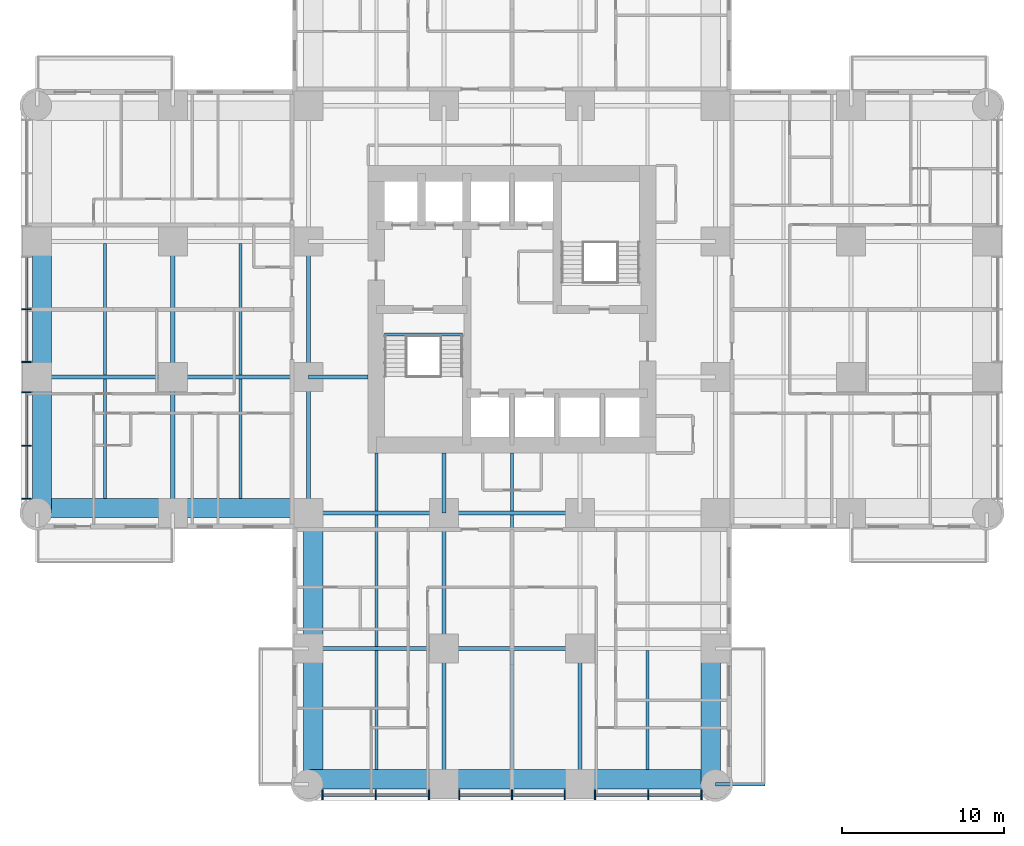
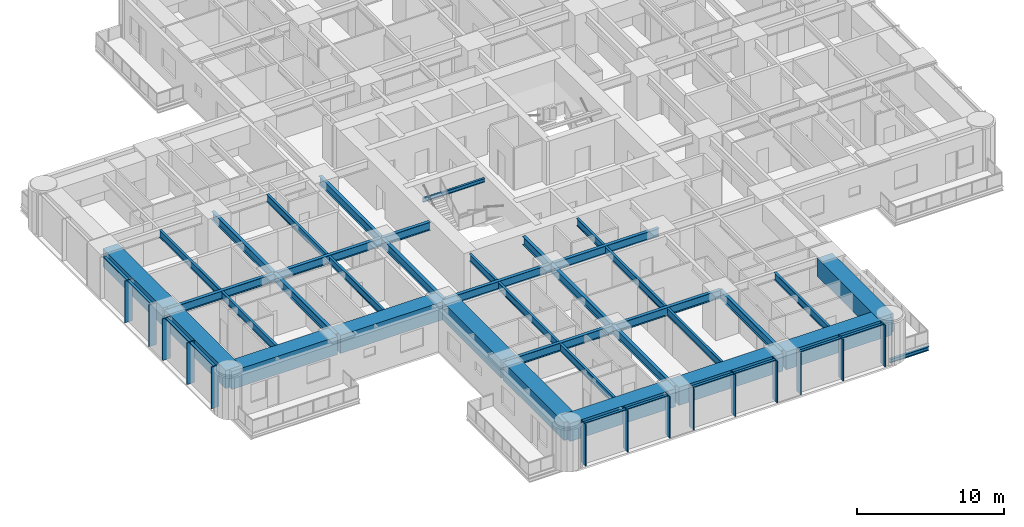
# One storey, part 2 of 17: 38 beams, 24 members, 2 elements without a shape of their own.
"""IFC4 building model written with IfcOpenShell, lengths in metres."""

from ifc_helpers import new_model, si_unit, direction, frame, origin, origin_2d, place, context, subcontext, project, spatial, rectangle, i_section, extrude, material, material_profile, profile_set, type_object, element, aggregate, save


model = new_model("IFC4")

# Units and contexts
model_context = context("Model", 3, precision=1e-05, world=origin(), true_north=direction((0.0, 1.0)))
body_context = subcontext(model_context, "Body", "Model", "MODEL_VIEW")
ifc_project = project(units=[si_unit("LENGTHUNIT", "METRE"), si_unit("AREAUNIT", "SQUARE_METRE"), si_unit("VOLUMEUNIT", "CUBIC_METRE"), si_unit("PLANEANGLEUNIT", "RADIAN"), si_unit("MASSUNIT", "GRAM", prefix="KILO")], contexts=[model_context])

# Site, building, storey
site_placement = place(None, origin())
site = spatial("IfcSite", under=ifc_project, at=site_placement, CompositionType="ELEMENT")
building_placement = place(site_placement, origin())
building = spatial("IfcBuilding", under=site, at=building_placement, Name="Torre Alcanfor", CompositionType="ELEMENT")
storey_placement = place(building_placement, frame((0.0, 0.0, 41.699951171875)))
storey = spatial("IfcBuildingStorey", under=building, at=storey_placement, Name="L09", CompositionType="ELEMENT", Elevation=41.699951171875)

# Beam
ifc_material_1 = material(Name="Steel ASTM A992 Grade 50", Category="steel")
ifc_material_profile_1 = material_profile(ifc_material_1, i_section(OverallWidth=0.205322265625, OverallDepth=0.309814453125, WebThickness=0.00927734375, FlangeThickness=0.016357421875, at=origin_2d()), Name="W12x50")
ifc_profile_set_1 = profile_set([ifc_material_profile_1], Name="Steel ASTM A992 Grade 50")
beam_type_1 = type_object("IfcBeamType", Name="Balcony cantilever beam W12x50", PredefinedType="BEAM", material=ifc_profile_set_1)
beam_1_placement = place(storey_placement, frame((42.0, 0.0, -0.35498046875), z_axis=(1.0, 0.0, 0.0), x_axis=(0.0, 1.0, 0.0)))
element("IfcBeam", 1, at=beam_1_placement, inside=storey, type_object=beam_type_1, Name="Balcony cantilever beam L09-S1 2", PredefinedType="BEAM", context=body_context, shape_type="SweptSolid", body=[
    extrude(i_section(OverallWidth=0.205322265625, OverallDepth=0.309814453125, WebThickness=0.00927734375, FlangeThickness=0.016357421875, at=origin_2d()), origin(), (0.0, 0.0, 1.0), 3.050048828125),
])

# Curtain wall, members
ifc_material_2 = material(Name="Aluminium and glass", Category="aluminium")
curtain_wall_type = type_object("IfcCurtainWallType", Name="CW-A unitised apartment glazing with vertical FIN", PredefinedType="NOTDEFINED", material=ifc_material_2)
curtain_wall_1_placement = place(storey_placement, origin())
curtain_wall_1 = element("IfcCurtainWall", 2, at=curtain_wall_1_placement, inside=storey, type_object=curtain_wall_type, Name="Curtain wall CW-A L09 2", PredefinedType="NOTDEFINED")
ifc_material_3 = material(Name="Bronze anodised aluminium", Category="aluminium")
ifc_material_profile_2 = material_profile(ifc_material_3, rectangle(XDim=0.60009765625, YDim=0.06494140625, at=origin_2d()), Name="CW-A mullion 65x600")
ifc_profile_set_2 = profile_set([ifc_material_profile_2], Name="Bronze anodised aluminium")
member_type_1 = type_object("IfcMemberType", Name="CW-A mullion with vertical FIN 65x600", PredefinedType="MULLION", material=ifc_profile_set_2)
member_1_placement = place(storey_placement, frame((-0.64990234375, 29.39990234375, 0.0), z_axis=(0.0, 0.0, 1.0), x_axis=(1.0, 0.0, 0.0)))
member_1 = element("IfcMember", 3, at=member_1_placement, type_object=member_type_1, Name="CW-A mullion 2.2", PredefinedType="MULLION", context=body_context, shape_type="SweptSolid", body=[
    extrude(rectangle(XDim=0.60009765625, YDim=0.06494140625, at=origin_2d()), origin(), (0.0, 0.0, 1.0), 3.449951171875),
])
member_2_placement = place(storey_placement, frame((-0.64990234375, 26.137451171875, 0.0), z_axis=(0.0, 0.0, 1.0), x_axis=(1.0, 0.0, 0.0)))
member_2 = element("IfcMember", 4, at=member_2_placement, type_object=member_type_1, Name="CW-A mullion 2.3", PredefinedType="MULLION", context=body_context, shape_type="SweptSolid", body=[
    extrude(rectangle(XDim=0.60009765625, YDim=0.06494140625, at=origin_2d()), origin(), (0.0, 0.0, 1.0), 3.449951171875),
])
member_3_placement = place(storey_placement, frame((-0.64990234375, 24.262451171875, 0.0), z_axis=(0.0, 0.0, 1.0), x_axis=(1.0, 0.0, 0.0)))
member_3 = element("IfcMember", 5, at=member_3_placement, type_object=member_type_1, Name="CW-A mullion 3.1", PredefinedType="MULLION", context=body_context, shape_type="SweptSolid", body=[
    extrude(rectangle(XDim=0.60009765625, YDim=0.06494140625, at=origin_2d()), origin(), (0.0, 0.0, 1.0), 3.449951171875),
])
member_4_placement = place(storey_placement, frame((-0.64990234375, 20.96484375, 0.0), z_axis=(0.0, 0.0, 1.0), x_axis=(1.0, 0.0, 0.0)))
member_4 = element("IfcMember", 6, at=member_4_placement, type_object=member_type_1, Name="CW-A mullion 3.2", PredefinedType="MULLION", context=body_context, shape_type="SweptSolid", body=[
    extrude(rectangle(XDim=0.60009765625, YDim=0.06494140625, at=origin_2d()), origin(), (0.0, 0.0, 1.0), 3.449951171875),
])
member_5_placement = place(storey_placement, frame((-0.64990234375, 17.6669921875, 0.0), z_axis=(0.0, 0.0, 1.0), x_axis=(1.0, 0.0, 0.0)))
member_5 = element("IfcMember", 7, at=member_5_placement, type_object=member_type_1, Name="CW-A mullion 3.3", PredefinedType="MULLION", context=body_context, shape_type="SweptSolid", body=[
    extrude(rectangle(XDim=0.60009765625, YDim=0.06494140625, at=origin_2d()), origin(), (0.0, 0.0, 1.0), 3.449951171875),
])

curtain_wall_2_placement = place(storey_placement, origin())
curtain_wall_2 = element("IfcCurtainWall", 8, at=curtain_wall_2_placement, inside=storey, type_object=curtain_wall_type, Name="Curtain wall CW-A L09 5", PredefinedType="NOTDEFINED")
member_6_placement = place(storey_placement, frame((17.6669921875, -0.64990234375, 0.0), z_axis=(0.0, 0.0, 1.0), x_axis=(0.0, 1.0, 0.0)))
member_6 = element("IfcMember", 9, at=member_6_placement, type_object=member_type_1, Name="CW-A mullion 1.1", PredefinedType="MULLION", context=body_context, shape_type="SweptSolid", body=[
    extrude(rectangle(XDim=0.60009765625, YDim=0.06494140625, at=origin_2d()), origin(), (0.0, 0.0, 1.0), 3.449951171875),
])
member_7_placement = place(storey_placement, frame((20.96484375, -0.64990234375, 0.0), z_axis=(0.0, 0.0, 1.0), x_axis=(0.0, 1.0, 0.0)))
member_7 = element("IfcMember", 10, at=member_7_placement, type_object=member_type_1, Name="CW-A mullion 1.2", PredefinedType="MULLION", context=body_context, shape_type="SweptSolid", body=[
    extrude(rectangle(XDim=0.60009765625, YDim=0.06494140625, at=origin_2d()), origin(), (0.0, 0.0, 1.0), 3.449951171875),
])
member_8_placement = place(storey_placement, frame((24.262451171875, -0.64990234375, 0.0), z_axis=(0.0, 0.0, 1.0), x_axis=(0.0, 1.0, 0.0)))
member_8 = element("IfcMember", 11, at=member_8_placement, type_object=member_type_1, Name="CW-A mullion 1.3", PredefinedType="MULLION", context=body_context, shape_type="SweptSolid", body=[
    extrude(rectangle(XDim=0.60009765625, YDim=0.06494140625, at=origin_2d()), origin(), (0.0, 0.0, 1.0), 3.449951171875),
])
member_9_placement = place(storey_placement, frame((26.137451171875, -0.64990234375, 0.0), z_axis=(0.0, 0.0, 1.0), x_axis=(0.0, 1.0, 0.0)))
member_9 = element("IfcMember", 12, at=member_9_placement, type_object=member_type_1, Name="CW-A mullion 2.1", PredefinedType="MULLION", context=body_context, shape_type="SweptSolid", body=[
    extrude(rectangle(XDim=0.60009765625, YDim=0.06494140625, at=origin_2d()), origin(), (0.0, 0.0, 1.0), 3.449951171875),
])
member_10_placement = place(storey_placement, frame((29.39990234375, -0.64990234375, 0.0), z_axis=(0.0, 0.0, 1.0), x_axis=(0.0, 1.0, 0.0)))
member_10 = element("IfcMember", 13, at=member_10_placement, type_object=member_type_1, Name="CW-A mullion 2.2", PredefinedType="MULLION", context=body_context, shape_type="SweptSolid", body=[
    extrude(rectangle(XDim=0.60009765625, YDim=0.06494140625, at=origin_2d()), origin(), (0.0, 0.0, 1.0), 3.449951171875),
])
member_11_placement = place(storey_placement, frame((32.66259765625, -0.64990234375, 0.0), z_axis=(0.0, 0.0, 1.0), x_axis=(0.0, 1.0, 0.0)))
member_11 = element("IfcMember", 14, at=member_11_placement, type_object=member_type_1, Name="CW-A mullion 2.3", PredefinedType="MULLION", context=body_context, shape_type="SweptSolid", body=[
    extrude(rectangle(XDim=0.60009765625, YDim=0.06494140625, at=origin_2d()), origin(), (0.0, 0.0, 1.0), 3.449951171875),
])
member_12_placement = place(storey_placement, frame((34.53759765625, -0.64990234375, 0.0), z_axis=(0.0, 0.0, 1.0), x_axis=(0.0, 1.0, 0.0)))
member_12 = element("IfcMember", 15, at=member_12_placement, type_object=member_type_1, Name="CW-A mullion 3.1", PredefinedType="MULLION", context=body_context, shape_type="SweptSolid", body=[
    extrude(rectangle(XDim=0.60009765625, YDim=0.06494140625, at=origin_2d()), origin(), (0.0, 0.0, 1.0), 3.449951171875),
])
member_13_placement = place(storey_placement, frame((37.835205078125, -0.64990234375, 0.0), z_axis=(0.0, 0.0, 1.0), x_axis=(0.0, 1.0, 0.0)))
member_13 = element("IfcMember", 16, at=member_13_placement, type_object=member_type_1, Name="CW-A mullion 3.2", PredefinedType="MULLION", context=body_context, shape_type="SweptSolid", body=[
    extrude(rectangle(XDim=0.60009765625, YDim=0.06494140625, at=origin_2d()), origin(), (0.0, 0.0, 1.0), 3.449951171875),
])
member_14_placement = place(storey_placement, frame((41.133056640625, -0.64990234375, 0.0), z_axis=(0.0, 0.0, 1.0), x_axis=(0.0, 1.0, 0.0)))
member_14 = element("IfcMember", 17, at=member_14_placement, type_object=member_type_1, Name="CW-A mullion 3.3", PredefinedType="MULLION", context=body_context, shape_type="SweptSolid", body=[
    extrude(rectangle(XDim=0.60009765625, YDim=0.06494140625, at=origin_2d()), origin(), (0.0, 0.0, 1.0), 3.449951171875),
])

# Member
ifc_material_4 = material(Name="Extruded aluminium", Category="aluminium")
ifc_material_profile_3 = material_profile(ifc_material_4, rectangle(XDim=0.199951171875, YDim=0.06494140625, at=origin_2d()), Name="CW-A transom 200x65")
ifc_profile_set_3 = profile_set([ifc_material_profile_3], Name="Extruded aluminium")
member_type_2 = type_object("IfcMemberType", Name="CW-A transom 65x200", PredefinedType="USERDEFINED", material=ifc_profile_set_3)
member_15_placement = place(storey_placement, frame((-0.64990234375, 32.6298828125, 3.41748046875), z_axis=(0.0, -1.0, 0.0), x_axis=(1.0, 0.0, 0.0)))
member_15 = element("IfcMember", 18, at=member_15_placement, type_object=member_type_2, Name="CW-A transom 2.1.2", ObjectType="TRANSOM", PredefinedType="USERDEFINED", context=body_context, shape_type="SweptSolid", body=[
    extrude(rectangle(XDim=0.199951171875, YDim=0.06494140625, at=origin_2d()), origin(), (0.0, 0.0, 1.0), 3.197265625),
])

member_16_placement = place(storey_placement, frame((-0.64990234375, 29.367431640625, 3.41748046875), z_axis=(0.0, -1.0, 0.0), x_axis=(1.0, 0.0, 0.0)))
member_16 = element("IfcMember", 19, at=member_16_placement, type_object=member_type_2, Name="CW-A transom 2.2.2", ObjectType="TRANSOM", PredefinedType="USERDEFINED", context=body_context, shape_type="SweptSolid", body=[
    extrude(rectangle(XDim=0.199951171875, YDim=0.06494140625, at=origin_2d()), origin(), (0.0, 0.0, 1.0), 3.197509765625),
])

member_17_placement = place(storey_placement, frame((-0.64990234375, 24.22998046875, 3.41748046875), z_axis=(0.0, -1.0, 0.0), x_axis=(1.0, 0.0, 0.0)))
member_17 = element("IfcMember", 20, at=member_17_placement, type_object=member_type_2, Name="CW-A transom 3.1.2", ObjectType="TRANSOM", PredefinedType="USERDEFINED", context=body_context, shape_type="SweptSolid", body=[
    extrude(rectangle(XDim=0.199951171875, YDim=0.06494140625, at=origin_2d()), origin(), (0.0, 0.0, 1.0), 3.232666015625),
])

member_18_placement = place(storey_placement, frame((-0.64990234375, 20.93212890625, 3.41748046875), z_axis=(0.0, -1.0, 0.0), x_axis=(1.0, 0.0, 0.0)))
member_18 = element("IfcMember", 21, at=member_18_placement, type_object=member_type_2, Name="CW-A transom 3.2.2", ObjectType="TRANSOM", PredefinedType="USERDEFINED", context=body_context, shape_type="SweptSolid", body=[
    extrude(rectangle(XDim=0.199951171875, YDim=0.06494140625, at=origin_2d()), origin(), (0.0, 0.0, 1.0), 3.232666015625),
])

aggregate(curtain_wall_1, [member_1, member_2, member_15, member_16, member_3, member_4, member_5, member_17, member_18])

member_19_placement = place(storey_placement, frame((17.699462890625, -0.64990234375, 3.41748046875), z_axis=(1.0, 0.0, 0.0), x_axis=(0.0, 1.0, 0.0)))
member_19 = element("IfcMember", 22, at=member_19_placement, type_object=member_type_2, Name="CW-A transom 1.1.2", ObjectType="TRANSOM", PredefinedType="USERDEFINED", context=body_context, shape_type="SweptSolid", body=[
    extrude(rectangle(XDim=0.199951171875, YDim=0.06494140625, at=origin_2d()), origin(), (0.0, 0.0, 1.0), 3.232666015625),
])

member_20_placement = place(storey_placement, frame((20.997314453125, -0.64990234375, 3.41748046875), z_axis=(1.0, 0.0, 0.0), x_axis=(0.0, 1.0, 0.0)))
member_20 = element("IfcMember", 23, at=member_20_placement, type_object=member_type_2, Name="CW-A transom 1.2.2", ObjectType="TRANSOM", PredefinedType="USERDEFINED", context=body_context, shape_type="SweptSolid", body=[
    extrude(rectangle(XDim=0.199951171875, YDim=0.06494140625, at=origin_2d()), origin(), (0.0, 0.0, 1.0), 3.232666015625),
])

member_21_placement = place(storey_placement, frame((26.169921875, -0.64990234375, 3.41748046875), z_axis=(1.0, 0.0, 0.0), x_axis=(0.0, 1.0, 0.0)))
member_21 = element("IfcMember", 24, at=member_21_placement, type_object=member_type_2, Name="CW-A transom 2.1.2", ObjectType="TRANSOM", PredefinedType="USERDEFINED", context=body_context, shape_type="SweptSolid", body=[
    extrude(rectangle(XDim=0.199951171875, YDim=0.06494140625, at=origin_2d()), origin(), (0.0, 0.0, 1.0), 3.197509765625),
])

member_22_placement = place(storey_placement, frame((29.4326171875, -0.64990234375, 3.41748046875), z_axis=(1.0, 0.0, 0.0), x_axis=(0.0, 1.0, 0.0)))
member_22 = element("IfcMember", 25, at=member_22_placement, type_object=member_type_2, Name="CW-A transom 2.2.2", ObjectType="TRANSOM", PredefinedType="USERDEFINED", context=body_context, shape_type="SweptSolid", body=[
    extrude(rectangle(XDim=0.199951171875, YDim=0.06494140625, at=origin_2d()), origin(), (0.0, 0.0, 1.0), 3.197265625),
])

member_23_placement = place(storey_placement, frame((34.570068359375, -0.64990234375, 3.41748046875), z_axis=(1.0, 0.0, 0.0), x_axis=(0.0, 1.0, 0.0)))
member_23 = element("IfcMember", 26, at=member_23_placement, type_object=member_type_2, Name="CW-A transom 3.1.2", ObjectType="TRANSOM", PredefinedType="USERDEFINED", context=body_context, shape_type="SweptSolid", body=[
    extrude(rectangle(XDim=0.199951171875, YDim=0.06494140625, at=origin_2d()), origin(), (0.0, 0.0, 1.0), 3.232666015625),
])

member_24_placement = place(storey_placement, frame((37.86767578125, -0.64990234375, 3.41748046875), z_axis=(1.0, 0.0, 0.0), x_axis=(0.0, 1.0, 0.0)))
member_24 = element("IfcMember", 27, at=member_24_placement, type_object=member_type_2, Name="CW-A transom 3.2.2", ObjectType="TRANSOM", PredefinedType="USERDEFINED", context=body_context, shape_type="SweptSolid", body=[
    extrude(rectangle(XDim=0.199951171875, YDim=0.06494140625, at=origin_2d()), origin(), (0.0, 0.0, 1.0), 3.23291015625),
])

aggregate(curtain_wall_2, [member_6, member_7, member_8, member_19, member_20, member_9, member_10, member_11, member_21, member_22, member_12, member_13, member_14, member_23, member_24])

# Beams
ifc_material_5 = material(Name="Steel ASTM A992 Grade 50", Category="steel")
ifc_material_profile_4 = material_profile(ifc_material_5, i_section(OverallWidth=0.25390625, OverallDepth=0.683349609375, WebThickness=0.012451171875, FlangeThickness=0.01904296875, at=origin_2d()), Name="W27x94")
ifc_profile_set_4 = profile_set([ifc_material_profile_4], Name="Steel ASTM A992 Grade 50")
beam_type_2 = type_object("IfcBeamType", Name="Girder W27x94", PredefinedType="BEAM", material=ifc_profile_set_4)
beam_2_placement = place(storey_placement, frame((16.800048828125, 8.39990234375, 3.1083984375), z_axis=(1.0, 0.0, 0.0), x_axis=(0.0, 1.0, 0.0)))
element("IfcBeam", 28, at=beam_2_placement, inside=storey, type_object=beam_type_2, Name="Beam 3D-4D under L10", PredefinedType="BEAM", context=body_context, shape_type="SweptSolid", body=[
    extrude(i_section(OverallWidth=0.25390625, OverallDepth=0.683349609375, WebThickness=0.012451171875, FlangeThickness=0.01904296875, at=origin_2d()), origin(), (0.0, 0.0, 1.0), 8.39990234375),
])
beam_3_placement = place(storey_placement, frame((25.199951171875, 8.39990234375, 3.1083984375), z_axis=(1.0, 0.0, 0.0), x_axis=(0.0, 1.0, 0.0)))
element("IfcBeam", 29, at=beam_3_placement, inside=storey, type_object=beam_type_2, Name="Beam 4D-5D under L10", PredefinedType="BEAM", context=body_context, shape_type="SweptSolid", body=[
    extrude(i_section(OverallWidth=0.25390625, OverallDepth=0.683349609375, WebThickness=0.012451171875, FlangeThickness=0.01904296875, at=origin_2d()), origin(), (0.0, 0.0, 1.0), 8.400146484375),
])
beam_4_placement = place(storey_placement, frame((16.800048828125, 16.800048828125, 3.1083984375), z_axis=(1.0, 0.0, 0.0), x_axis=(0.0, 1.0, 0.0)))
element("IfcBeam", 30, at=beam_4_placement, inside=storey, type_object=beam_type_2, Name="Beam 3E-4E under L10", PredefinedType="BEAM", context=body_context, shape_type="SweptSolid", body=[
    extrude(i_section(OverallWidth=0.25390625, OverallDepth=0.683349609375, WebThickness=0.012451171875, FlangeThickness=0.01904296875, at=origin_2d()), origin(), (0.0, 0.0, 1.0), 8.39990234375),
])
beam_5_placement = place(storey_placement, frame((25.199951171875, 16.800048828125, 3.1083984375), z_axis=(1.0, 0.0, 0.0), x_axis=(0.0, 1.0, 0.0)))
element("IfcBeam", 31, at=beam_5_placement, inside=storey, type_object=beam_type_2, Name="Beam 4E-5E under L10", PredefinedType="BEAM", context=body_context, shape_type="SweptSolid", body=[
    extrude(i_section(OverallWidth=0.25390625, OverallDepth=0.683349609375, WebThickness=0.012451171875, FlangeThickness=0.01904296875, at=origin_2d()), origin(), (0.0, 0.0, 1.0), 8.400146484375),
])
beam_6_placement = place(storey_placement, frame((0.0, 25.199951171875, 3.1083984375), z_axis=(1.0, 0.0, 0.0), x_axis=(0.0, 1.0, 0.0)))
element("IfcBeam", 32, at=beam_6_placement, inside=storey, type_object=beam_type_2, Name="Beam 1F-2F under L10", PredefinedType="BEAM", context=body_context, shape_type="SweptSolid", body=[
    extrude(i_section(OverallWidth=0.25390625, OverallDepth=0.683349609375, WebThickness=0.012451171875, FlangeThickness=0.01904296875, at=origin_2d()), origin(), (0.0, 0.0, 1.0), 8.39990234375),
])
beam_7_placement = place(storey_placement, frame((8.39990234375, 25.199951171875, 3.1083984375), z_axis=(1.0, 0.0, 0.0), x_axis=(0.0, 1.0, 0.0)))
element("IfcBeam", 33, at=beam_7_placement, inside=storey, type_object=beam_type_2, Name="Beam 2F-3F under L10", PredefinedType="BEAM", context=body_context, shape_type="SweptSolid", body=[
    extrude(i_section(OverallWidth=0.25390625, OverallDepth=0.683349609375, WebThickness=0.012451171875, FlangeThickness=0.01904296875, at=origin_2d()), origin(), (0.0, 0.0, 1.0), 8.400146484375),
])
beam_8_placement = place(storey_placement, frame((8.39990234375, 16.800048828125, 3.1083984375), z_axis=(0.0, 1.0, 0.0), x_axis=(-1.0, 0.0, 0.0)))
element("IfcBeam", 34, at=beam_8_placement, inside=storey, type_object=beam_type_2, Name="Beam 2E-2F under L10", PredefinedType="BEAM", context=body_context, shape_type="SweptSolid", body=[
    extrude(i_section(OverallWidth=0.25390625, OverallDepth=0.683349609375, WebThickness=0.012451171875, FlangeThickness=0.01904296875, at=origin_2d()), origin(), (0.0, 0.0, 1.0), 8.39990234375),
])
beam_9_placement = place(storey_placement, frame((8.39990234375, 25.199951171875, 3.1083984375), z_axis=(0.0, 1.0, 0.0), x_axis=(-1.0, 0.0, 0.0)))
element("IfcBeam", 35, at=beam_9_placement, inside=storey, type_object=beam_type_2, Name="Beam 2F-2G under L10", PredefinedType="BEAM", context=body_context, shape_type="SweptSolid", body=[
    extrude(i_section(OverallWidth=0.25390625, OverallDepth=0.683349609375, WebThickness=0.012451171875, FlangeThickness=0.01904296875, at=origin_2d()), origin(), (0.0, 0.0, 1.0), 8.400146484375),
])
beam_10_placement = place(storey_placement, frame((16.800048828125, 16.800048828125, 3.1083984375), z_axis=(0.0, 1.0, 0.0), x_axis=(-1.0, 0.0, 0.0)))
element("IfcBeam", 36, at=beam_10_placement, inside=storey, type_object=beam_type_2, Name="Beam 3E-3F under L10", PredefinedType="BEAM", context=body_context, shape_type="SweptSolid", body=[
    extrude(i_section(OverallWidth=0.25390625, OverallDepth=0.683349609375, WebThickness=0.012451171875, FlangeThickness=0.01904296875, at=origin_2d()), origin(), (0.0, 0.0, 1.0), 8.39990234375),
])
beam_11_placement = place(storey_placement, frame((16.800048828125, 25.199951171875, 3.1083984375), z_axis=(0.0, 1.0, 0.0), x_axis=(-1.0, 0.0, 0.0)))
element("IfcBeam", 37, at=beam_11_placement, inside=storey, type_object=beam_type_2, Name="Beam 3F-3G under L10", PredefinedType="BEAM", context=body_context, shape_type="SweptSolid", body=[
    extrude(i_section(OverallWidth=0.25390625, OverallDepth=0.683349609375, WebThickness=0.012451171875, FlangeThickness=0.01904296875, at=origin_2d()), origin(), (0.0, 0.0, 1.0), 8.400146484375),
])
beam_12_placement = place(storey_placement, frame((25.199951171875, 0.0, 3.1083984375), z_axis=(0.0, 1.0, 0.0), x_axis=(-1.0, 0.0, 0.0)))
element("IfcBeam", 38, at=beam_12_placement, inside=storey, type_object=beam_type_2, Name="Beam 4C-4D under L10", PredefinedType="BEAM", context=body_context, shape_type="SweptSolid", body=[
    extrude(i_section(OverallWidth=0.25390625, OverallDepth=0.683349609375, WebThickness=0.012451171875, FlangeThickness=0.01904296875, at=origin_2d()), origin(), (0.0, 0.0, 1.0), 8.39990234375),
])
beam_13_placement = place(storey_placement, frame((25.199951171875, 8.39990234375, 3.1083984375), z_axis=(0.0, 1.0, 0.0), x_axis=(-1.0, 0.0, 0.0)))
element("IfcBeam", 39, at=beam_13_placement, inside=storey, type_object=beam_type_2, Name="Beam 4D-4E under L10", PredefinedType="BEAM", context=body_context, shape_type="SweptSolid", body=[
    extrude(i_section(OverallWidth=0.25390625, OverallDepth=0.683349609375, WebThickness=0.012451171875, FlangeThickness=0.01904296875, at=origin_2d()), origin(), (0.0, 0.0, 1.0), 8.400146484375),
])
beam_14_placement = place(storey_placement, frame((33.60009765625, 0.0, 3.1083984375), z_axis=(0.0, 1.0, 0.0), x_axis=(-1.0, 0.0, 0.0)))
element("IfcBeam", 40, at=beam_14_placement, inside=storey, type_object=beam_type_2, Name="Beam 5C-5D under L10", PredefinedType="BEAM", context=body_context, shape_type="SweptSolid", body=[
    extrude(i_section(OverallWidth=0.25390625, OverallDepth=0.683349609375, WebThickness=0.012451171875, FlangeThickness=0.01904296875, at=origin_2d()), origin(), (0.0, 0.0, 1.0), 8.39990234375),
])
ifc_material_6 = material(Name="Steel ASTM A992 Grade 50", Category="steel")
ifc_material_profile_5 = material_profile(ifc_material_6, i_section(OverallWidth=0.25390625, OverallDepth=0.683349609375, WebThickness=0.012451171875, FlangeThickness=0.01904296875, at=origin_2d()), Name="W27x94")
ifc_profile_set_5 = profile_set([ifc_material_profile_5], Name="Steel ASTM A992 Grade 50")
beam_type_3 = type_object("IfcBeamType", Name="Girder, part bay W27x94", PredefinedType="BEAM", material=ifc_profile_set_5)
for number, where, z_axis, x_axis, name in (
    (41, (25.199951171875, 16.800048828125, 3.1083984375), (0.0, 1.0, 0.0), (-1.0, 0.0, 0.0), "Beam 4E-420_5 under L10"),
    (42, (16.800048828125, 25.199951171875, 3.1083984375), (1.0, 0.0, 0.0), (0.0, 1.0, 0.0), "Beam 3F-20_5F under L10"),
):
    element("IfcBeam", number, at=place(storey_placement, frame(where, z_axis=z_axis, x_axis=x_axis)), inside=storey, type_object=beam_type_3, Name=name, PredefinedType="BEAM", context=body_context, shape_type="SweptSolid", body=[
        extrude(i_section(OverallWidth=0.25390625, OverallDepth=0.683349609375, WebThickness=0.012451171875, FlangeThickness=0.01904296875, at=origin_2d()), origin(), (0.0, 0.0, 1.0), 3.699951171875),
    ])
ifc_material_7 = material(Name="Concrete f'c 70 MPa", Category="concrete")
ifc_material_profile_6 = material_profile(ifc_material_7, rectangle(XDim=1.199951171875, YDim=1.5, at=origin_2d()), Name="1200x1500")
ifc_profile_set_6 = profile_set([ifc_material_profile_6], Name="Concrete f'c 70 MPa")
beam_type_4 = type_object("IfcBeamType", Name="RC perimeter beam 1200x1500", PredefinedType="BEAM", material=ifc_profile_set_6)
beam_15_placement = place(storey_placement, frame((16.800048828125, 0.300048828125, 2.699951171875), z_axis=(1.0, 0.0, 0.0), x_axis=(0.0, 1.0, 0.0)))
element("IfcBeam", 43, at=beam_15_placement, inside=storey, type_object=beam_type_4, Name="Beam 3C-4C under L10", PredefinedType="BEAM", context=body_context, shape_type="SweptSolid", body=[
    extrude(rectangle(XDim=1.199951171875, YDim=1.5, at=origin_2d()), origin(), (0.0, 0.0, 1.0), 8.27294921875),
])
beam_16_placement = place(storey_placement, frame((25.326904296875, 0.300048828125, 2.699951171875), z_axis=(1.0, 0.0, 0.0), x_axis=(0.0, 1.0, 0.0)))
element("IfcBeam", 44, at=beam_16_placement, inside=storey, type_object=beam_type_4, Name="Beam 4C-5C under L10", PredefinedType="BEAM", context=body_context, shape_type="SweptSolid", body=[
    extrude(rectangle(XDim=1.199951171875, YDim=1.5, at=origin_2d()), origin(), (0.0, 0.0, 1.0), 8.14599609375),
])
for number, where, z_axis, x_axis, name in (
    (45, (33.72705078125, 0.300048828125, 2.699951171875), (1.0, 0.0, 0.0), (0.0, 1.0, 0.0), "Beam 5C-6C under L10"),
    (46, (0.0, 17.10009765625, 2.699951171875), (1.0, 0.0, 0.0), (0.0, 1.0, 0.0), "Beam 1E-2E under L10"),
):
    element("IfcBeam", number, at=place(storey_placement, frame(where, z_axis=z_axis, x_axis=x_axis)), inside=storey, type_object=beam_type_4, Name=name, PredefinedType="BEAM", context=body_context, shape_type="SweptSolid", body=[
        extrude(rectangle(XDim=1.199951171875, YDim=1.5, at=origin_2d()), origin(), (0.0, 0.0, 1.0), 8.27294921875),
    ])
beam_17_placement = place(storey_placement, frame((8.527099609375, 17.10009765625, 2.699951171875), z_axis=(1.0, 0.0, 0.0), x_axis=(0.0, 1.0, 0.0)))
element("IfcBeam", 47, at=beam_17_placement, inside=storey, type_object=beam_type_4, Name="Beam 2E-3E under L10", PredefinedType="BEAM", context=body_context, shape_type="SweptSolid", body=[
    extrude(rectangle(XDim=1.199951171875, YDim=1.5, at=origin_2d()), origin(), (0.0, 0.0, 1.0), 8.14599609375),
])
beam_18_placement = place(storey_placement, frame((0.300048828125, 16.800048828125, 2.699951171875), z_axis=(0.0, 1.0, 0.0), x_axis=(-1.0, 0.0, 0.0)))
element("IfcBeam", 48, at=beam_18_placement, inside=storey, type_object=beam_type_4, Name="Beam 1E-1F under L10", PredefinedType="BEAM", context=body_context, shape_type="SweptSolid", body=[
    extrude(rectangle(XDim=1.199951171875, YDim=1.5, at=origin_2d()), origin(), (0.0, 0.0, 1.0), 8.27294921875),
])
beam_19_placement = place(storey_placement, frame((0.300048828125, 25.326904296875, 2.699951171875), z_axis=(0.0, 1.0, 0.0), x_axis=(-1.0, 0.0, 0.0)))
element("IfcBeam", 49, at=beam_19_placement, inside=storey, type_object=beam_type_4, Name="Beam 1F-1G under L10", PredefinedType="BEAM", context=body_context, shape_type="SweptSolid", body=[
    extrude(rectangle(XDim=1.199951171875, YDim=1.5, at=origin_2d()), origin(), (0.0, 0.0, 1.0), 8.14599609375),
])
beam_20_placement = place(storey_placement, frame((17.10009765625, 0.0, 2.699951171875), z_axis=(0.0, 1.0, 0.0), x_axis=(-1.0, 0.0, 0.0)))
element("IfcBeam", 50, at=beam_20_placement, inside=storey, type_object=beam_type_4, Name="Beam 3C-3D under L10", PredefinedType="BEAM", context=body_context, shape_type="SweptSolid", body=[
    extrude(rectangle(XDim=1.199951171875, YDim=1.5, at=origin_2d()), origin(), (0.0, 0.0, 1.0), 8.27294921875),
])
beam_21_placement = place(storey_placement, frame((17.10009765625, 8.527099609375, 2.699951171875), z_axis=(0.0, 1.0, 0.0), x_axis=(-1.0, 0.0, 0.0)))
element("IfcBeam", 51, at=beam_21_placement, inside=storey, type_object=beam_type_4, Name="Beam 3D-3E under L10", PredefinedType="BEAM", context=body_context, shape_type="SweptSolid", body=[
    extrude(rectangle(XDim=1.199951171875, YDim=1.5, at=origin_2d()), origin(), (0.0, 0.0, 1.0), 8.14599609375),
])
beam_22_placement = place(storey_placement, frame((41.699951171875, 0.0, 2.699951171875), z_axis=(0.0, 1.0, 0.0), x_axis=(-1.0, 0.0, 0.0)))
element("IfcBeam", 52, at=beam_22_placement, inside=storey, type_object=beam_type_4, Name="Beam 6C-6D under L10", PredefinedType="BEAM", context=body_context, shape_type="SweptSolid", body=[
    extrude(rectangle(XDim=1.199951171875, YDim=1.5, at=origin_2d()), origin(), (0.0, 0.0, 1.0), 8.27294921875),
])
ifc_material_8 = material(Name="Steel ASTM A992 Grade 50", Category="steel")
ifc_material_profile_7 = material_profile(ifc_material_8, i_section(OverallWidth=0.1787109375, OverallDepth=0.60205078125, WebThickness=0.010986328125, FlangeThickness=0.014892578125, at=origin_2d()), Name="W24x62")
ifc_profile_set_7 = profile_set([ifc_material_profile_7], Name="Steel ASTM A992 Grade 50")
beam_type_5 = type_object("IfcBeamType", Name="Secondary beam W24x62", PredefinedType="BEAM", material=ifc_profile_set_7)
beam_23_placement = place(storey_placement, frame((4.199951171875, 17.699951171875, 3.149169921875), z_axis=(0.0, 1.0, 0.0), x_axis=(-1.0, 0.0, 0.0)))
element("IfcBeam", 53, at=beam_23_placement, inside=storey, type_object=beam_type_5, Name="Beam 4_2E-4_2F under L10", PredefinedType="BEAM", context=body_context, shape_type="SweptSolid", body=[
    extrude(i_section(OverallWidth=0.1787109375, OverallDepth=0.60205078125, WebThickness=0.010986328125, FlangeThickness=0.014892578125, at=origin_2d()), origin(), (0.0, 0.0, 1.0), 7.373046875),
])
beam_24_placement = place(storey_placement, frame((4.199951171875, 25.326904296875, 3.149169921875), z_axis=(0.0, 1.0, 0.0), x_axis=(-1.0, 0.0, 0.0)))
element("IfcBeam", 54, at=beam_24_placement, inside=storey, type_object=beam_type_5, Name="Beam 4_2F-4_2G under L10", PredefinedType="BEAM", context=body_context, shape_type="SweptSolid", body=[
    extrude(i_section(OverallWidth=0.1787109375, OverallDepth=0.60205078125, WebThickness=0.010986328125, FlangeThickness=0.014892578125, at=origin_2d()), origin(), (0.0, 0.0, 1.0), 8.14599609375),
])
beam_25_placement = place(storey_placement, frame((12.60009765625, 17.699951171875, 3.149169921875), z_axis=(0.0, 1.0, 0.0), x_axis=(-1.0, 0.0, 0.0)))
element("IfcBeam", 55, at=beam_25_placement, inside=storey, type_object=beam_type_5, Name="Beam 12_6E-12_6F under L10", PredefinedType="BEAM", context=body_context, shape_type="SweptSolid", body=[
    extrude(i_section(OverallWidth=0.1787109375, OverallDepth=0.60205078125, WebThickness=0.010986328125, FlangeThickness=0.014892578125, at=origin_2d()), origin(), (0.0, 0.0, 1.0), 7.373046875),
])
beam_26_placement = place(storey_placement, frame((12.60009765625, 25.326904296875, 3.149169921875), z_axis=(0.0, 1.0, 0.0), x_axis=(-1.0, 0.0, 0.0)))
element("IfcBeam", 56, at=beam_26_placement, inside=storey, type_object=beam_type_5, Name="Beam 12_6F-12_6G under L10", PredefinedType="BEAM", context=body_context, shape_type="SweptSolid", body=[
    extrude(i_section(OverallWidth=0.1787109375, OverallDepth=0.60205078125, WebThickness=0.010986328125, FlangeThickness=0.014892578125, at=origin_2d()), origin(), (0.0, 0.0, 1.0), 8.14599609375),
])
beam_27_placement = place(storey_placement, frame((21.0, 0.89990234375, 3.149169921875), z_axis=(0.0, 1.0, 0.0), x_axis=(-1.0, 0.0, 0.0)))
element("IfcBeam", 57, at=beam_27_placement, inside=storey, type_object=beam_type_5, Name="Beam 21C-21D under L10", PredefinedType="BEAM", context=body_context, shape_type="SweptSolid", body=[
    extrude(i_section(OverallWidth=0.1787109375, OverallDepth=0.60205078125, WebThickness=0.010986328125, FlangeThickness=0.014892578125, at=origin_2d()), origin(), (0.0, 0.0, 1.0), 7.373046875),
])
beam_28_placement = place(storey_placement, frame((21.0, 8.527099609375, 3.149169921875), z_axis=(0.0, 1.0, 0.0), x_axis=(-1.0, 0.0, 0.0)))
element("IfcBeam", 58, at=beam_28_placement, inside=storey, type_object=beam_type_5, Name="Beam 21D-21E under L10", PredefinedType="BEAM", context=body_context, shape_type="SweptSolid", body=[
    extrude(i_section(OverallWidth=0.1787109375, OverallDepth=0.60205078125, WebThickness=0.010986328125, FlangeThickness=0.014892578125, at=origin_2d()), origin(), (0.0, 0.0, 1.0), 8.14599609375),
])
beam_29_placement = place(storey_placement, frame((29.39990234375, 0.89990234375, 3.149169921875), z_axis=(0.0, 1.0, 0.0), x_axis=(-1.0, 0.0, 0.0)))
element("IfcBeam", 59, at=beam_29_placement, inside=storey, type_object=beam_type_5, Name="Beam 29_4C-29_4D under L10", PredefinedType="BEAM", context=body_context, shape_type="SweptSolid", body=[
    extrude(i_section(OverallWidth=0.1787109375, OverallDepth=0.60205078125, WebThickness=0.010986328125, FlangeThickness=0.014892578125, at=origin_2d()), origin(), (0.0, 0.0, 1.0), 7.373046875),
])
beam_30_placement = place(storey_placement, frame((29.39990234375, 8.527099609375, 3.149169921875), z_axis=(0.0, 1.0, 0.0), x_axis=(-1.0, 0.0, 0.0)))
element("IfcBeam", 60, at=beam_30_placement, inside=storey, type_object=beam_type_5, Name="Beam 29_4D-29_4E under L10", PredefinedType="BEAM", context=body_context, shape_type="SweptSolid", body=[
    extrude(i_section(OverallWidth=0.1787109375, OverallDepth=0.60205078125, WebThickness=0.010986328125, FlangeThickness=0.014892578125, at=origin_2d()), origin(), (0.0, 0.0, 1.0), 8.14599609375),
])
beam_31_placement = place(storey_placement, frame((37.800048828125, 0.89990234375, 3.149169921875), z_axis=(0.0, 1.0, 0.0), x_axis=(-1.0, 0.0, 0.0)))
element("IfcBeam", 61, at=beam_31_placement, inside=storey, type_object=beam_type_5, Name="Beam 37_8C-37_8D under L10", PredefinedType="BEAM", context=body_context, shape_type="SweptSolid", body=[
    extrude(i_section(OverallWidth=0.1787109375, OverallDepth=0.60205078125, WebThickness=0.010986328125, FlangeThickness=0.014892578125, at=origin_2d()), origin(), (0.0, 0.0, 1.0), 7.373046875),
])
ifc_material_9 = material(Name="Steel ASTM A992 Grade 50", Category="steel")
ifc_material_profile_8 = material_profile(ifc_material_9, i_section(OverallWidth=0.1787109375, OverallDepth=0.60205078125, WebThickness=0.010986328125, FlangeThickness=0.014892578125, at=origin_2d()), Name="W24x62")
ifc_profile_set_8 = profile_set([ifc_material_profile_8], Name="Steel ASTM A992 Grade 50")
beam_type_6 = type_object("IfcBeamType", Name="Secondary beam, part bay W24x62", PredefinedType="BEAM", material=ifc_profile_set_8)
for number, where, z_axis, x_axis, name in (
    (62, (21.0, 16.927001953125, 3.149169921875), (0.0, 1.0, 0.0), (-1.0, 0.0, 0.0), "Beam 21E-2120_5 under L10"),
    (63, (29.39990234375, 16.927001953125, 3.149169921875), (0.0, 1.0, 0.0), (-1.0, 0.0, 0.0), "Beam 29_4E-29_420_5 under L10"),
):
    element("IfcBeam", number, at=place(storey_placement, frame(where, z_axis=z_axis, x_axis=x_axis)), inside=storey, type_object=beam_type_6, Name=name, PredefinedType="BEAM", context=body_context, shape_type="SweptSolid", body=[
        extrude(i_section(OverallWidth=0.1787109375, OverallDepth=0.60205078125, WebThickness=0.010986328125, FlangeThickness=0.014892578125, at=origin_2d()), origin(), (0.0, 0.0, 1.0), 3.572998046875),
    ])
ifc_material_10 = material(Name="Steel ASTM A992 Grade 50", Category="steel")
ifc_material_profile_9 = material_profile(ifc_material_10, i_section(OverallWidth=0.164794921875, OverallDepth=0.309814453125, WebThickness=0.005859375, FlangeThickness=0.009765625, at=origin_2d()), Name="W12x26")
ifc_profile_set_9 = profile_set([ifc_material_profile_9], Name="Steel ASTM A992 Grade 50")
beam_type_7 = type_object("IfcBeamType", Name="Stair landing beam W12x26", PredefinedType="BEAM", material=ifc_profile_set_9)
beam_32_placement = place(storey_placement, frame((21.5, 27.83740234375, 3.2451171875), z_axis=(1.0, 0.0, 0.0), x_axis=(0.0, 1.0, 0.0)))
element("IfcBeam", 64, at=beam_32_placement, inside=storey, type_object=beam_type_7, Name="Landing trimmer S1 L10", PredefinedType="BEAM", context=body_context, shape_type="SweptSolid", body=[
    extrude(i_section(OverallWidth=0.164794921875, OverallDepth=0.309814453125, WebThickness=0.005859375, FlangeThickness=0.009765625, at=origin_2d()), origin(), (0.0, 0.0, 1.0), 4.85009765625),
])

save(model, "model.ifc")
